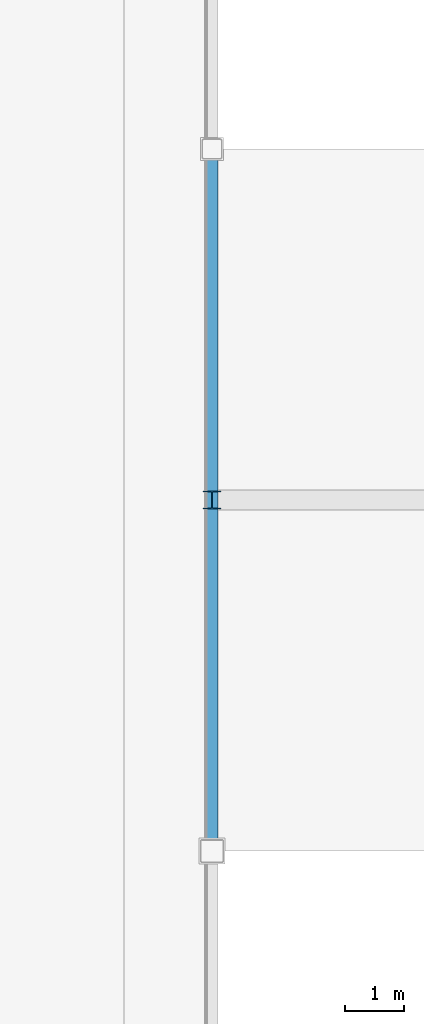
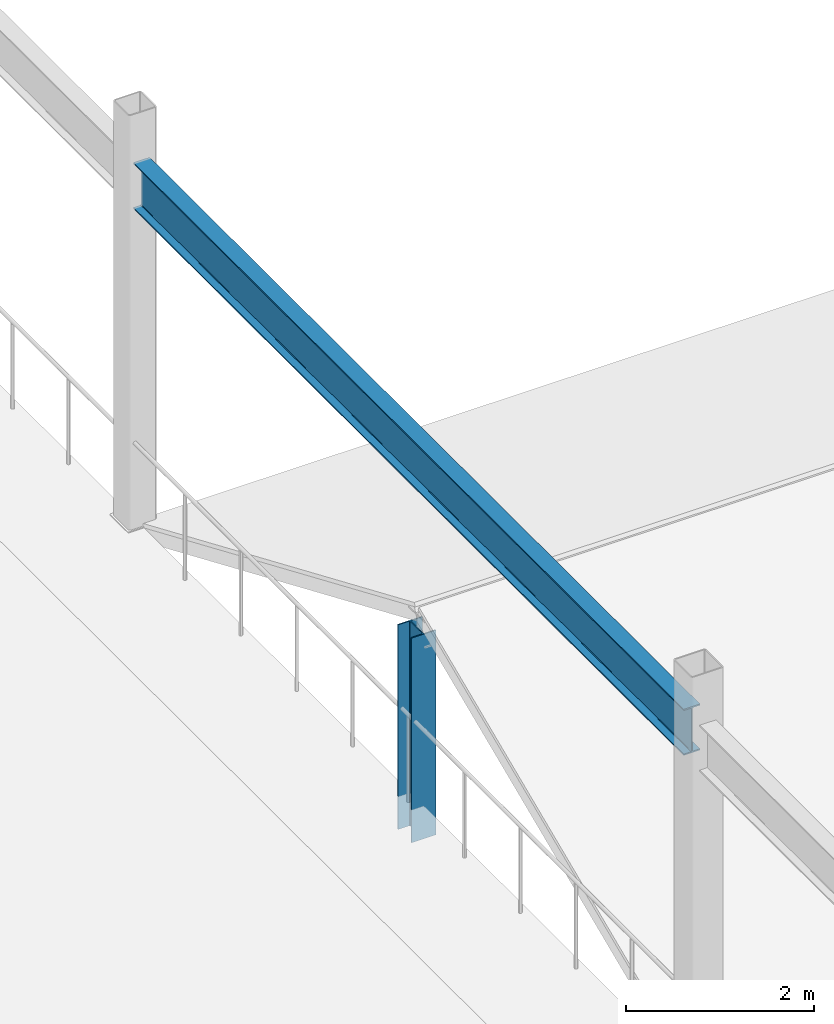
# One storey, part 44 of 105: 1 beam, 1 member.
"""IFC4 building model written with IfcOpenShell, lengths in metres."""

from ifc_helpers import new_model, si_unit, direction, frame, origin, origin_2d, place, context, subcontext, project, spatial, i_section, extrude, material, material_profile, profile_set, type_object, element, save


model = new_model("IFC4")

# Units and contexts
model_context = context("Model", 3, precision=1e-05, world=origin(), true_north=direction((0.0, 1.0)))
body_context = subcontext(model_context, "Body", "Model", "MODEL_VIEW")
ifc_project = project(units=[si_unit("LENGTHUNIT", "METRE"), si_unit("AREAUNIT", "SQUARE_METRE"), si_unit("VOLUMEUNIT", "CUBIC_METRE"), si_unit("PLANEANGLEUNIT", "RADIAN"), si_unit("MASSUNIT", "GRAM", prefix="KILO")], contexts=[model_context])

# Site, building, storey
site_placement = place(None, origin())
site = spatial("IfcSite", under=ifc_project, at=site_placement, CompositionType="ELEMENT")
building_placement = place(site_placement, origin())
building = spatial("IfcBuilding", under=site, at=building_placement, Name="Kazenohara Klinker Stadium", CompositionType="ELEMENT")
storey_placement = place(building_placement, frame((0.0, 0.0, 20.39990234375)))
storey = spatial("IfcBuildingStorey", under=building, at=storey_placement, Name="L04", CompositionType="ELEMENT", Elevation=20.39990234375)

# Beam
ifc_material = material(Name="Steel S355", Category="steel")
ifc_material_profile_1 = material_profile(ifc_material, i_section(OverallWidth=0.199951171875, OverallDepth=0.60009765625, WebThickness=0.010986328125, FlangeThickness=0.01708984375, FilletRadius=0.012939453125, at=origin_2d()), Name="H-600x200x11x17")
ifc_profile_set_1 = profile_set([ifc_material_profile_1], Name="Steel S355")
beam_type = type_object("IfcBeamType", Name="BM-ST04", PredefinedType="BEAM", material=ifc_profile_set_1)
beam_placement = place(storey_placement, frame((187.5, 60.139892578125, 4.4501953125), z_axis=(0.0, 1.0, 0.0), x_axis=(-1.0, 0.0, 0.0)))
element("IfcBeam", 1, at=beam_placement, inside=storey, type_object=beam_type, Name="Canopy tie girder SB04 L04 16/F", PredefinedType="BEAM", context=body_context, shape_type="SweptSolid", body=[
    extrude(i_section(OverallWidth=0.199951171875, OverallDepth=0.60009765625, WebThickness=0.010986328125, FlangeThickness=0.01708984375, FilletRadius=0.012939453125, at=origin_2d()), origin(), (0.0, 0.0, 1.0), 11.72021484375),
])

# Member
ifc_material_profile_2 = material_profile(ifc_material, i_section(OverallWidth=0.300048828125, OverallDepth=0.300048828125, WebThickness=0.010009765625, FlangeThickness=0.014892578125, FilletRadius=0.012939453125, at=origin_2d()), Name="H-300x300x10x15")
ifc_profile_set_2 = profile_set([ifc_material_profile_2], Name="Steel S355")
member_type = type_object("IfcMemberType", Name="MEM-STR01", PredefinedType="STRUT", material=ifc_profile_set_2)
member_placement = place(storey_placement, frame((187.5, 66.0, -0.429931640625), z_axis=(0.0, 0.0, 1.0), x_axis=(1.0, 0.0, 0.0)))
element("IfcMember", 2, at=member_placement, inside=storey, type_object=member_type, Name="Stepped pavilion gable king-post L04 16/F W", PredefinedType="STRUT", context=body_context, shape_type="SweptSolid", body=[
    extrude(i_section(OverallWidth=0.300048828125, OverallDepth=0.300048828125, WebThickness=0.010009765625, FlangeThickness=0.014892578125, FilletRadius=0.012939453125, at=origin_2d()), origin(), (0.0, 0.0, 1.0), 2.659912109375),
])

save(model, "model.ifc")
